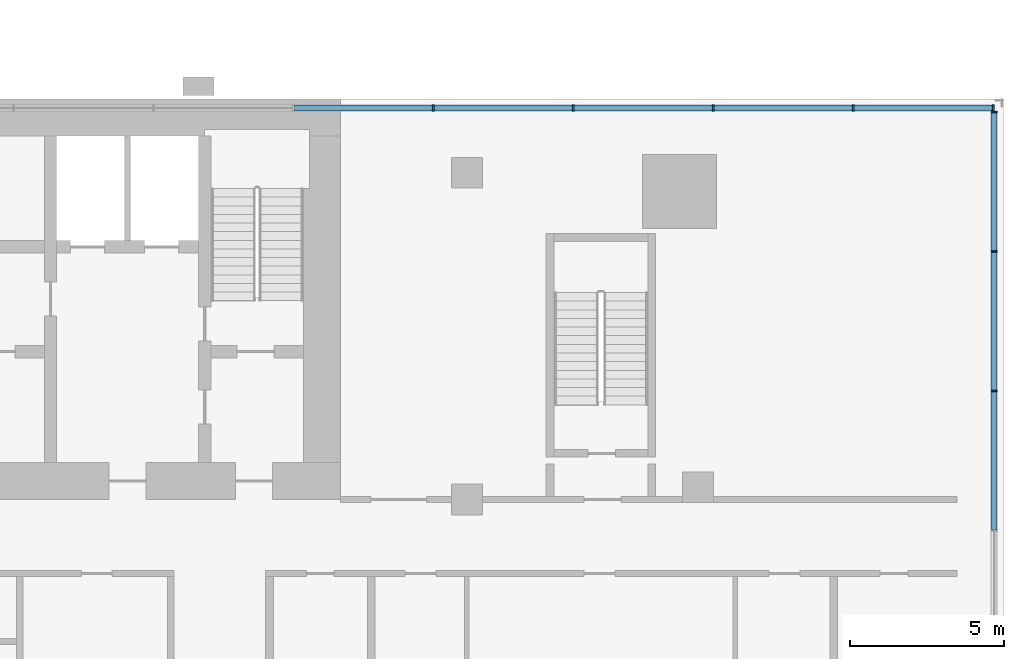
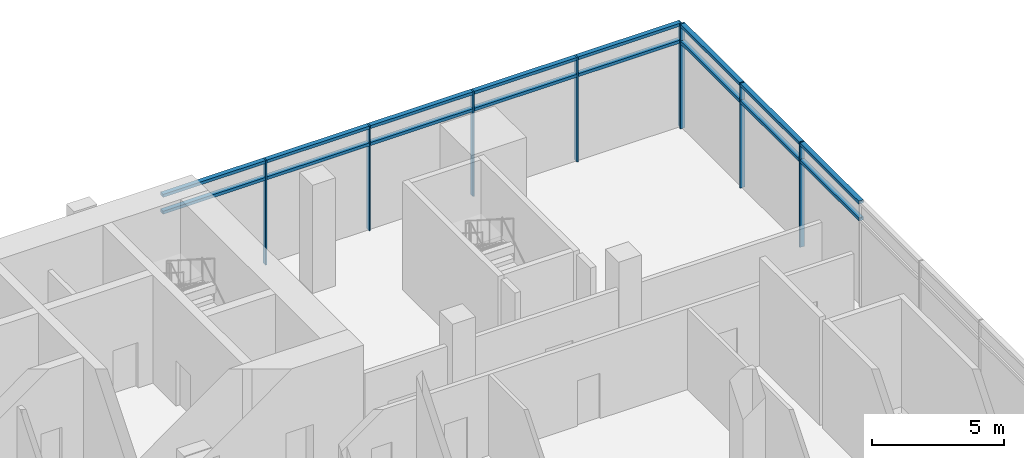
# One storey, part 8 of 17: 24 members, 2 elements without a shape of their own.
"""IFC4 building model written with IfcOpenShell, lengths in metres."""

from ifc_helpers import new_model, si_unit, direction, frame, origin, origin_2d, place, context, subcontext, project, spatial, rectangle, extrude, material, material_profile, profile_set, type_object, element, aggregate, save


model = new_model("IFC4")

# Units and contexts
model_context = context("Model", 3, precision=1e-05, world=origin(), true_north=direction((0.0, 1.0)))
body_context = subcontext(model_context, "Body", "Model", "MODEL_VIEW")
ifc_project = project(units=[si_unit("LENGTHUNIT", "METRE"), si_unit("AREAUNIT", "SQUARE_METRE"), si_unit("VOLUMEUNIT", "CUBIC_METRE"), si_unit("PLANEANGLEUNIT", "RADIAN"), si_unit("MASSUNIT", "GRAM", prefix="KILO")], contexts=[model_context])

# Site, building, storey
site_placement = place(None, origin())
site = spatial("IfcSite", under=ifc_project, at=site_placement, CompositionType="ELEMENT")
building_placement = place(site_placement, origin())
building = spatial("IfcBuilding", under=site, at=building_placement, Name="Bicima Exchange Tower", CompositionType="ELEMENT")
storey_placement = place(building_placement, frame((0.0, 0.0, 30.0)))
storey = spatial("IfcBuildingStorey", under=building, at=storey_placement, Name="L05", CompositionType="ELEMENT", Elevation=30.0)

# Curtain wall, members
ifc_material = material(Name="Anodised bronze aluminium", Category="aluminium")
curtain_wall_type = type_object("IfcCurtainWallType", Name="Lobby glazing", PredefinedType="NOTDEFINED", material=ifc_material)
curtain_wall_1_placement = place(storey_placement, origin())
curtain_wall_1 = element("IfcCurtainWall", 1, at=curtain_wall_1_placement, inside=storey, type_object=curtain_wall_type, Name="Podium glazing L05 east 1", PredefinedType="NOTDEFINED")
ifc_material_profile_1 = material_profile(ifc_material, rectangle(XDim=0.199951171875, YDim=0.06005859375, at=origin_2d()))
ifc_profile_set_1 = profile_set([ifc_material_profile_1], Name="Anodised bronze aluminium")
member_type_1 = type_object("IfcMemberType", Name="Lobby glazing mullion 60 x 200", PredefinedType="MULLION", material=ifc_profile_set_1)
member_1_placement = place(storey_placement, frame((43.199951171875, -9.47802734375, 0.0), z_axis=(0.0, 0.0, 1.0), x_axis=(-1.0, 0.0, 0.0)))
member_1 = element("IfcMember", 2, at=member_1_placement, type_object=member_type_1, Name="Lobby glazing mullion 9", PredefinedType="MULLION", context=body_context, shape_type="SweptSolid", body=[
    extrude(rectangle(XDim=0.199951171875, YDim=0.06005859375, at=origin_2d()), origin(), (0.0, 0.0, 1.0), 4.85009765625),
])
member_2_placement = place(storey_placement, frame((43.199951171875, -4.9541015625, 0.0), z_axis=(0.0, 0.0, 1.0), x_axis=(-1.0, 0.0, 0.0)))
member_2 = element("IfcMember", 3, at=member_2_placement, type_object=member_type_1, Name="Lobby glazing mullion 10", PredefinedType="MULLION", context=body_context, shape_type="SweptSolid", body=[
    extrude(rectangle(XDim=0.199951171875, YDim=0.06005859375, at=origin_2d()), origin(), (0.0, 0.0, 1.0), 4.85009765625),
])
member_3_placement = place(storey_placement, frame((43.199951171875, -0.429931640625, 0.0), z_axis=(0.0, 0.0, 1.0), x_axis=(-1.0, 0.0, 0.0)))
member_3 = element("IfcMember", 4, at=member_3_placement, type_object=member_type_1, Name="Lobby glazing mullion 11", PredefinedType="MULLION", context=body_context, shape_type="SweptSolid", body=[
    extrude(rectangle(XDim=0.199951171875, YDim=0.06005859375, at=origin_2d()), origin(), (0.0, 0.0, 1.0), 4.85009765625),
])

curtain_wall_2_placement = place(storey_placement, origin())
curtain_wall_2 = element("IfcCurtainWall", 5, at=curtain_wall_2_placement, inside=storey, type_object=curtain_wall_type, Name="Podium glazing L05 north 1", PredefinedType="NOTDEFINED")
member_4_placement = place(storey_placement, frame((43.169921875, -0.300048828125, 0.0), z_axis=(0.0, 0.0, 1.0), x_axis=(0.0, -1.0, 0.0)))
member_4 = element("IfcMember", 6, at=member_4_placement, type_object=member_type_1, Name="Lobby glazing mullion 1", PredefinedType="MULLION", context=body_context, shape_type="SweptSolid", body=[
    extrude(rectangle(XDim=0.199951171875, YDim=0.06005859375, at=origin_2d()), origin(), (0.0, 0.0, 1.0), 4.85009765625),
])
member_5_placement = place(storey_placement, frame((38.631103515625, -0.300048828125, 0.0), z_axis=(0.0, 0.0, 1.0), x_axis=(0.0, -1.0, 0.0)))
member_5 = element("IfcMember", 7, at=member_5_placement, type_object=member_type_1, Name="Lobby glazing mullion 2", PredefinedType="MULLION", context=body_context, shape_type="SweptSolid", body=[
    extrude(rectangle(XDim=0.199951171875, YDim=0.06005859375, at=origin_2d()), origin(), (0.0, 0.0, 1.0), 4.85009765625),
])
member_6_placement = place(storey_placement, frame((34.092041015625, -0.300048828125, 0.0), z_axis=(0.0, 0.0, 1.0), x_axis=(0.0, -1.0, 0.0)))
member_6 = element("IfcMember", 8, at=member_6_placement, type_object=member_type_1, Name="Lobby glazing mullion 3", PredefinedType="MULLION", context=body_context, shape_type="SweptSolid", body=[
    extrude(rectangle(XDim=0.199951171875, YDim=0.06005859375, at=origin_2d()), origin(), (0.0, 0.0, 1.0), 4.85009765625),
])
member_7_placement = place(storey_placement, frame((29.55322265625, -0.300048828125, 0.0), z_axis=(0.0, 0.0, 1.0), x_axis=(0.0, -1.0, 0.0)))
member_7 = element("IfcMember", 9, at=member_7_placement, type_object=member_type_1, Name="Lobby glazing mullion 4", PredefinedType="MULLION", context=body_context, shape_type="SweptSolid", body=[
    extrude(rectangle(XDim=0.199951171875, YDim=0.06005859375, at=origin_2d()), origin(), (0.0, 0.0, 1.0), 4.85009765625),
])
member_8_placement = place(storey_placement, frame((25.01416015625, -0.300048828125, 0.0), z_axis=(0.0, 0.0, 1.0), x_axis=(0.0, -1.0, 0.0)))
member_8 = element("IfcMember", 10, at=member_8_placement, type_object=member_type_1, Name="Lobby glazing mullion 5", PredefinedType="MULLION", context=body_context, shape_type="SweptSolid", body=[
    extrude(rectangle(XDim=0.199951171875, YDim=0.06005859375, at=origin_2d()), origin(), (0.0, 0.0, 1.0), 4.85009765625),
])

# Member
ifc_material_profile_2 = material_profile(ifc_material, rectangle(XDim=0.199951171875, YDim=0.139892578125, at=origin_2d()))
ifc_profile_set_2 = profile_set([ifc_material_profile_2], Name="Anodised bronze aluminium")
member_type_2 = type_object("IfcMemberType", Name="Lobby glazing transom 140 x 200", PredefinedType="USERDEFINED", material=ifc_profile_set_2)
member_9_placement = place(storey_placement, frame((43.199951171875, -13.971923828125, 4.0), z_axis=(0.0, 1.0, 0.0), x_axis=(-1.0, 0.0, 0.0)))
member_9 = element("IfcMember", 11, at=member_9_placement, type_object=member_type_2, Name="Lobby glazing transom 8.1", ObjectType="TRANSOM", PredefinedType="USERDEFINED", context=body_context, shape_type="SweptSolid", body=[
    extrude(rectangle(XDim=0.199951171875, YDim=0.139892578125, at=origin_2d()), origin(), (0.0, 0.0, 1.0), 4.4638671875),
])

member_10_placement = place(storey_placement, frame((43.199951171875, -13.971923828125, 4.780029296875), z_axis=(0.0, 1.0, 0.0), x_axis=(-1.0, 0.0, 0.0)))
member_10 = element("IfcMember", 12, at=member_10_placement, type_object=member_type_2, Name="Lobby glazing transom 8.2", ObjectType="TRANSOM", PredefinedType="USERDEFINED", context=body_context, shape_type="SweptSolid", body=[
    extrude(rectangle(XDim=0.199951171875, YDim=0.139892578125, at=origin_2d()), origin(), (0.0, 0.0, 1.0), 4.4638671875),
])

member_11_placement = place(storey_placement, frame((43.199951171875, -9.447998046875, 4.0), z_axis=(0.0, 1.0, 0.0), x_axis=(-1.0, 0.0, 0.0)))
member_11 = element("IfcMember", 13, at=member_11_placement, type_object=member_type_2, Name="Lobby glazing transom 9.1", ObjectType="TRANSOM", PredefinedType="USERDEFINED", context=body_context, shape_type="SweptSolid", body=[
    extrude(rectangle(XDim=0.199951171875, YDim=0.139892578125, at=origin_2d()), origin(), (0.0, 0.0, 1.0), 4.464111328125),
])

member_12_placement = place(storey_placement, frame((43.199951171875, -9.447998046875, 4.780029296875), z_axis=(0.0, 1.0, 0.0), x_axis=(-1.0, 0.0, 0.0)))
member_12 = element("IfcMember", 14, at=member_12_placement, type_object=member_type_2, Name="Lobby glazing transom 9.2", ObjectType="TRANSOM", PredefinedType="USERDEFINED", context=body_context, shape_type="SweptSolid", body=[
    extrude(rectangle(XDim=0.199951171875, YDim=0.139892578125, at=origin_2d()), origin(), (0.0, 0.0, 1.0), 4.464111328125),
])

member_13_placement = place(storey_placement, frame((43.199951171875, -4.924072265625, 4.0), z_axis=(0.0, 1.0, 0.0), x_axis=(-1.0, 0.0, 0.0)))
member_13 = element("IfcMember", 15, at=member_13_placement, type_object=member_type_2, Name="Lobby glazing transom 10.1", ObjectType="TRANSOM", PredefinedType="USERDEFINED", context=body_context, shape_type="SweptSolid", body=[
    extrude(rectangle(XDim=0.199951171875, YDim=0.139892578125, at=origin_2d()), origin(), (0.0, 0.0, 1.0), 4.464111328125),
])

member_14_placement = place(storey_placement, frame((43.199951171875, -4.924072265625, 4.780029296875), z_axis=(0.0, 1.0, 0.0), x_axis=(-1.0, 0.0, 0.0)))
member_14 = element("IfcMember", 16, at=member_14_placement, type_object=member_type_2, Name="Lobby glazing transom 10.2", ObjectType="TRANSOM", PredefinedType="USERDEFINED", context=body_context, shape_type="SweptSolid", body=[
    extrude(rectangle(XDim=0.199951171875, YDim=0.139892578125, at=origin_2d()), origin(), (0.0, 0.0, 1.0), 4.464111328125),
])

aggregate(curtain_wall_1, [member_1, member_2, member_3, member_9, member_10, member_11, member_12, member_13, member_14])

member_15_placement = place(storey_placement, frame((43.139892578125, -0.300048828125, 4.0), z_axis=(-1.0, 0.0, 0.0), x_axis=(0.0, -1.0, 0.0)))
member_15 = element("IfcMember", 17, at=member_15_placement, type_object=member_type_2, Name="Lobby glazing transom 1.1", ObjectType="TRANSOM", PredefinedType="USERDEFINED", context=body_context, shape_type="SweptSolid", body=[
    extrude(rectangle(XDim=0.199951171875, YDim=0.139892578125, at=origin_2d()), origin(), (0.0, 0.0, 1.0), 4.478759765625),
])

member_16_placement = place(storey_placement, frame((43.139892578125, -0.300048828125, 4.780029296875), z_axis=(-1.0, 0.0, 0.0), x_axis=(0.0, -1.0, 0.0)))
member_16 = element("IfcMember", 18, at=member_16_placement, type_object=member_type_2, Name="Lobby glazing transom 1.2", ObjectType="TRANSOM", PredefinedType="USERDEFINED", context=body_context, shape_type="SweptSolid", body=[
    extrude(rectangle(XDim=0.199951171875, YDim=0.139892578125, at=origin_2d()), origin(), (0.0, 0.0, 1.0), 4.478759765625),
])

member_17_placement = place(storey_placement, frame((38.60107421875, -0.300048828125, 4.0), z_axis=(-1.0, 0.0, 0.0), x_axis=(0.0, -1.0, 0.0)))
member_17 = element("IfcMember", 19, at=member_17_placement, type_object=member_type_2, Name="Lobby glazing transom 2.1", ObjectType="TRANSOM", PredefinedType="USERDEFINED", context=body_context, shape_type="SweptSolid", body=[
    extrude(rectangle(XDim=0.199951171875, YDim=0.139892578125, at=origin_2d()), origin(), (0.0, 0.0, 1.0), 4.47900390625),
])

member_18_placement = place(storey_placement, frame((38.60107421875, -0.300048828125, 4.780029296875), z_axis=(-1.0, 0.0, 0.0), x_axis=(0.0, -1.0, 0.0)))
member_18 = element("IfcMember", 20, at=member_18_placement, type_object=member_type_2, Name="Lobby glazing transom 2.2", ObjectType="TRANSOM", PredefinedType="USERDEFINED", context=body_context, shape_type="SweptSolid", body=[
    extrude(rectangle(XDim=0.199951171875, YDim=0.139892578125, at=origin_2d()), origin(), (0.0, 0.0, 1.0), 4.47900390625),
])

member_19_placement = place(storey_placement, frame((34.06201171875, -0.300048828125, 4.0), z_axis=(-1.0, 0.0, 0.0), x_axis=(0.0, -1.0, 0.0)))
member_19 = element("IfcMember", 21, at=member_19_placement, type_object=member_type_2, Name="Lobby glazing transom 3.1", ObjectType="TRANSOM", PredefinedType="USERDEFINED", context=body_context, shape_type="SweptSolid", body=[
    extrude(rectangle(XDim=0.199951171875, YDim=0.139892578125, at=origin_2d()), origin(), (0.0, 0.0, 1.0), 4.478759765625),
])

member_20_placement = place(storey_placement, frame((34.06201171875, -0.300048828125, 4.780029296875), z_axis=(-1.0, 0.0, 0.0), x_axis=(0.0, -1.0, 0.0)))
member_20 = element("IfcMember", 22, at=member_20_placement, type_object=member_type_2, Name="Lobby glazing transom 3.2", ObjectType="TRANSOM", PredefinedType="USERDEFINED", context=body_context, shape_type="SweptSolid", body=[
    extrude(rectangle(XDim=0.199951171875, YDim=0.139892578125, at=origin_2d()), origin(), (0.0, 0.0, 1.0), 4.478759765625),
])

member_21_placement = place(storey_placement, frame((29.523193359375, -0.300048828125, 4.0), z_axis=(-1.0, 0.0, 0.0), x_axis=(0.0, -1.0, 0.0)))
member_21 = element("IfcMember", 23, at=member_21_placement, type_object=member_type_2, Name="Lobby glazing transom 4.1", ObjectType="TRANSOM", PredefinedType="USERDEFINED", context=body_context, shape_type="SweptSolid", body=[
    extrude(rectangle(XDim=0.199951171875, YDim=0.139892578125, at=origin_2d()), origin(), (0.0, 0.0, 1.0), 4.47900390625),
])

member_22_placement = place(storey_placement, frame((29.523193359375, -0.300048828125, 4.780029296875), z_axis=(-1.0, 0.0, 0.0), x_axis=(0.0, -1.0, 0.0)))
member_22 = element("IfcMember", 24, at=member_22_placement, type_object=member_type_2, Name="Lobby glazing transom 4.2", ObjectType="TRANSOM", PredefinedType="USERDEFINED", context=body_context, shape_type="SweptSolid", body=[
    extrude(rectangle(XDim=0.199951171875, YDim=0.139892578125, at=origin_2d()), origin(), (0.0, 0.0, 1.0), 4.47900390625),
])

member_23_placement = place(storey_placement, frame((24.984130859375, -0.300048828125, 4.0), z_axis=(-1.0, 0.0, 0.0), x_axis=(0.0, -1.0, 0.0)))
member_23 = element("IfcMember", 25, at=member_23_placement, type_object=member_type_2, Name="Lobby glazing transom 5.1", ObjectType="TRANSOM", PredefinedType="USERDEFINED", context=body_context, shape_type="SweptSolid", body=[
    extrude(rectangle(XDim=0.199951171875, YDim=0.139892578125, at=origin_2d()), origin(), (0.0, 0.0, 1.0), 4.478759765625),
])

member_24_placement = place(storey_placement, frame((24.984130859375, -0.300048828125, 4.780029296875), z_axis=(-1.0, 0.0, 0.0), x_axis=(0.0, -1.0, 0.0)))
member_24 = element("IfcMember", 26, at=member_24_placement, type_object=member_type_2, Name="Lobby glazing transom 5.2", ObjectType="TRANSOM", PredefinedType="USERDEFINED", context=body_context, shape_type="SweptSolid", body=[
    extrude(rectangle(XDim=0.199951171875, YDim=0.139892578125, at=origin_2d()), origin(), (0.0, 0.0, 1.0), 4.478759765625),
])

aggregate(curtain_wall_2, [member_4, member_5, member_6, member_7, member_8, member_15, member_16, member_17, member_18, member_19, member_20, member_21, member_22, member_23, member_24])

save(model, "model.ifc")
